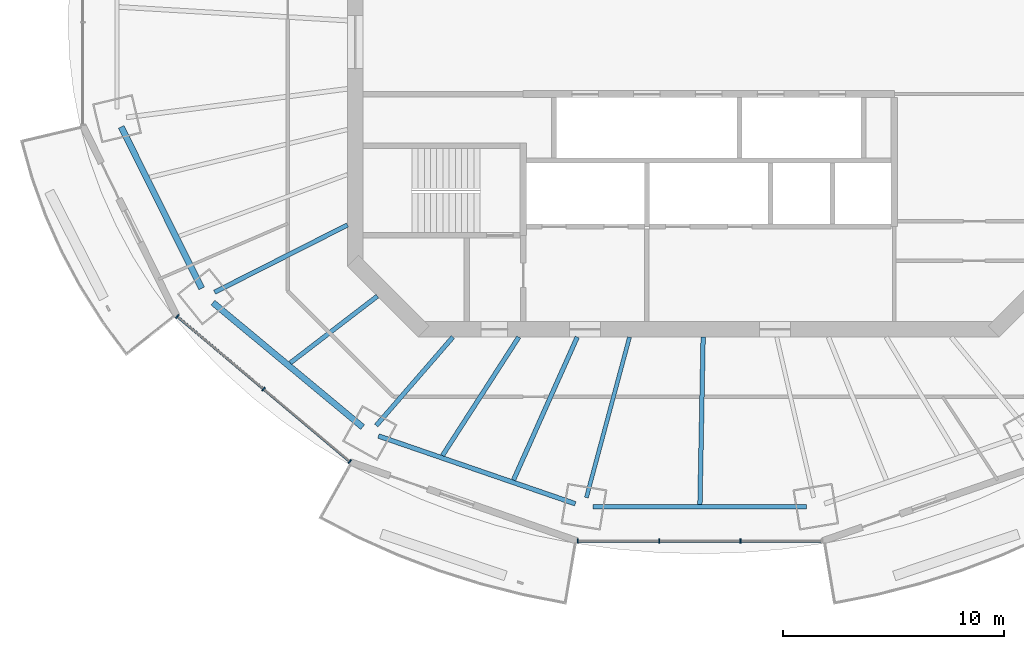
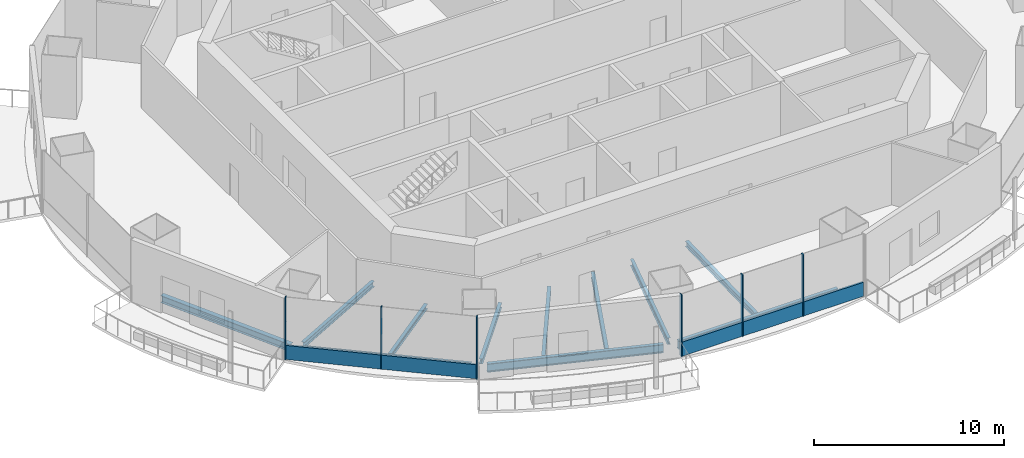
# One storey, part 2 of 16: 11 beams, 8 members, 2 elements without a shape of their own.
"""IFC4 building model written with IfcOpenShell, lengths in metres."""

from ifc_helpers import new_model, si_unit, direction, frame, origin, origin_2d, place, context, subcontext, project, spatial, rectangle, i_section, extrude, material, material_profile, profile_set, type_object, element, aggregate, save


model = new_model("IFC4")

# Units and contexts
model_context = context("Model", 3, precision=1e-05, world=origin(), true_north=direction((0.0, 1.0)))
body_context = subcontext(model_context, "Body", "Model", "MODEL_VIEW")
ifc_project = project(units=[si_unit("LENGTHUNIT", "METRE"), si_unit("AREAUNIT", "SQUARE_METRE"), si_unit("VOLUMEUNIT", "CUBIC_METRE"), si_unit("PLANEANGLEUNIT", "RADIAN"), si_unit("MASSUNIT", "GRAM", prefix="KILO")], contexts=[model_context])

# Site, building, storey
site_placement = place(None, origin())
site = spatial("IfcSite", under=ifc_project, at=site_placement, CompositionType="ELEMENT")
building_placement = place(site_placement, origin())
building = spatial("IfcBuilding", under=site, at=building_placement, Name="Marenthal Gate Tower", CompositionType="ELEMENT")
storey_placement = place(building_placement, frame((0.0, 0.0, 296.949951171875)))
storey = spatial("IfcBuildingStorey", under=building, at=storey_placement, Name="L66", CompositionType="ELEMENT", Elevation=296.949951171875)

# Curtain wall, members
ifc_material_1 = material(Name="Aluminium and glass", Category="aluminium")
curtain_wall_type = type_object("IfcCurtainWallType", Name="Curtain wall typical high", PredefinedType="NOTDEFINED", material=ifc_material_1)
curtain_wall_1_placement = place(storey_placement, origin())
curtain_wall_1 = element("IfcCurtainWall", 1, at=curtain_wall_1_placement, inside=storey, type_object=curtain_wall_type, Name="Curtain wall L66 bay 10", PredefinedType="NOTDEFINED")
ifc_material_2 = material(Name="Aluminium", Category="aluminium")
ifc_material_profile_1 = material_profile(ifc_material_2, rectangle(XDim=0.199951171875, YDim=0.06005859375, at=origin_2d()), Name="60x200 aluminium mullion")
ifc_profile_set_1 = profile_set([ifc_material_profile_1], Name="Aluminium")
member_type_1 = type_object("IfcMemberType", Name="Mullion 60x200 typical high", PredefinedType="MULLION", material=ifc_profile_set_1)
member_1_placement = place(storey_placement, frame((-24.053955078125, -12.41845703125, 0.0), z_axis=(0.0, 0.0, 1.0), x_axis=(0.643479945432, 0.765462970905, 0.0)))
member_1 = element("IfcMember", 2, at=member_1_placement, type_object=member_type_1, Name="Mullion L66 bay 10.1", PredefinedType="MULLION", context=body_context, shape_type="SweptSolid", body=[
    extrude(rectangle(XDim=0.199951171875, YDim=0.06005859375, at=origin_2d()), origin(), (0.0, 0.0, 1.0), 3.969970703125),
])
member_2_placement = place(storey_placement, frame((-20.148681640625, -15.701416015625, 0.0), z_axis=(0.0, 0.0, 1.0), x_axis=(0.643479945432, 0.765462970905, 0.0)))
member_2 = element("IfcMember", 3, at=member_2_placement, type_object=member_type_1, Name="Mullion L66 bay 10.2", PredefinedType="MULLION", context=body_context, shape_type="SweptSolid", body=[
    extrude(rectangle(XDim=0.199951171875, YDim=0.06005859375, at=origin_2d()), origin(), (0.0, 0.0, 1.0), 3.969970703125),
])
member_3_placement = place(storey_placement, frame((-16.243408203125, -18.984375, 0.0), z_axis=(0.0, 0.0, 1.0), x_axis=(0.643479945432, 0.765462970905, 0.0)))
member_3 = element("IfcMember", 4, at=member_3_placement, type_object=member_type_1, Name="Mullion L66 bay 10.3", PredefinedType="MULLION", context=body_context, shape_type="SweptSolid", body=[
    extrude(rectangle(XDim=0.199951171875, YDim=0.06005859375, at=origin_2d()), origin(), (0.0, 0.0, 1.0), 3.969970703125),
])

curtain_wall_2_placement = place(storey_placement, origin())
curtain_wall_2 = element("IfcCurtainWall", 5, at=curtain_wall_2_placement, inside=storey, type_object=curtain_wall_type, Name="Curtain wall L66 bay 12", PredefinedType="NOTDEFINED")
member_4_placement = place(storey_placement, frame((-5.92529296875, -22.577880859375, 0.0), z_axis=(0.0, 0.0, 1.0), x_axis=(0.0, 1.0, 0.0)))
member_4 = element("IfcMember", 6, at=member_4_placement, type_object=member_type_1, Name="Mullion L66 bay 12.1", PredefinedType="MULLION", context=body_context, shape_type="SweptSolid", body=[
    extrude(rectangle(XDim=0.199951171875, YDim=0.06005859375, at=origin_2d()), origin(), (0.0, 0.0, 1.0), 3.969970703125),
])
member_5_placement = place(storey_placement, frame((-2.24169921875, -22.577880859375, 0.0), z_axis=(0.0, 0.0, 1.0), x_axis=(0.0, 1.0, 0.0)))
member_5 = element("IfcMember", 7, at=member_5_placement, type_object=member_type_1, Name="Mullion L66 bay 12.2", PredefinedType="MULLION", context=body_context, shape_type="SweptSolid", body=[
    extrude(rectangle(XDim=0.199951171875, YDim=0.06005859375, at=origin_2d()), origin(), (0.0, 0.0, 1.0), 3.969970703125),
])
member_6_placement = place(storey_placement, frame((1.44189453125, -22.577880859375, 0.0), z_axis=(0.0, 0.0, 1.0), x_axis=(0.0, 1.0, 0.0)))
member_6 = element("IfcMember", 8, at=member_6_placement, type_object=member_type_1, Name="Mullion L66 bay 12.3", PredefinedType="MULLION", context=body_context, shape_type="SweptSolid", body=[
    extrude(rectangle(XDim=0.199951171875, YDim=0.06005859375, at=origin_2d()), origin(), (0.0, 0.0, 1.0), 3.969970703125),
])

# Member
ifc_material_3 = material(Name="Aluminium", Category="aluminium")
ifc_material_profile_2 = material_profile(ifc_material_3, rectangle(XDim=0.1201171875, YDim=0.89990234375, at=origin_2d()), Name="120x900 aluminium transom")
ifc_profile_set_2 = profile_set([ifc_material_profile_2], Name="Aluminium")
member_type_2 = type_object("IfcMemberType", Name="Transom 120x900 typical high", PredefinedType="USERDEFINED", material=ifc_profile_set_2)
member_7_placement = place(storey_placement, frame((-24.031005859375, -12.437744140625, 0.449951171875), z_axis=(0.765460155219, -0.643483294866, 0.0), x_axis=(0.643483294866, 0.765460155219, 0.0)))
member_7 = element("IfcMember", 9, at=member_7_placement, type_object=member_type_2, Name="Transom L66 bay 10", ObjectType="TRANSOM", PredefinedType="USERDEFINED", context=body_context, shape_type="SweptSolid", body=[
    extrude(rectangle(XDim=0.1201171875, YDim=0.89990234375, at=origin_2d()), origin(), (0.0, 0.0, 1.0), 10.143798828125),
])

aggregate(curtain_wall_1, [member_1, member_2, member_3, member_7])

member_8_placement = place(storey_placement, frame((-5.8955078125, -22.577880859375, 0.449951171875), z_axis=(1.0, 0.0, 0.0), x_axis=(0.0, 1.0, 0.0)))
member_8 = element("IfcMember", 10, at=member_8_placement, type_object=member_type_2, Name="Transom L66 bay 12", ObjectType="TRANSOM", PredefinedType="USERDEFINED", context=body_context, shape_type="SweptSolid", body=[
    extrude(rectangle(XDim=0.1201171875, YDim=0.89990234375, at=origin_2d()), origin(), (0.0, 0.0, 1.0), 10.990966796875),
])

aggregate(curtain_wall_2, [member_4, member_5, member_6, member_8])

# Beams
ifc_material_4 = material(Name="Steel S355", Category="steel")
ifc_material_profile_3 = material_profile(ifc_material_4, i_section(OverallWidth=0.202880859375, OverallDepth=0.302001953125, WebThickness=0.007568359375, FlangeThickness=0.01318359375, FilletRadius=0.0126953125, at=origin_2d()), Name="W310X60")
ifc_profile_set_3 = profile_set([ifc_material_profile_3], Name="Steel S355")
beam_type_1 = type_object("IfcBeamType", Name="W310X60 beam", PredefinedType="BEAM", material=ifc_profile_set_3)
beam_1_placement = place(storey_placement, frame((-18.939453125, -14.518798828125, -0.3310546875), z_axis=(0.793649875285, 0.608374782071, 0.0), x_axis=(-0.608374782071, 0.793649875285, 0.0)))
element("IfcBeam", 11, at=beam_1_placement, inside=storey, type_object=beam_type_1, Name="BM-L66-31", PredefinedType="BEAM", context=body_context, shape_type="SweptSolid", body=[
    extrude(i_section(OverallWidth=0.202880859375, OverallDepth=0.302001953125, WebThickness=0.007568359375, FlangeThickness=0.01318359375, FilletRadius=0.0126953125, at=origin_2d()), origin(), (0.0, 0.0, 1.0), 4.966552734375),
])
ifc_material_5 = material(Name="Steel S355", Category="steel")
ifc_material_profile_4 = material_profile(ifc_material_5, i_section(OverallWidth=0.205078125, OverallDepth=0.31005859375, WebThickness=0.009521484375, FlangeThickness=0.016357421875, FilletRadius=0.0126953125, at=origin_2d()), Name="W310X74")
ifc_profile_set_4 = profile_set([ifc_material_profile_4], Name="Steel S355")
beam_type_2 = type_object("IfcBeamType", Name="W310X74 beam", PredefinedType="BEAM", material=ifc_profile_set_4)
beam_2_placement = place(storey_placement, frame((-15.05078125, -17.353515625, -0.3349609375), z_axis=(0.655204107761, 0.75545190262, 0.0), x_axis=(-0.75545190262, 0.655204107761, 0.0)))
element("IfcBeam", 12, at=beam_2_placement, inside=storey, type_object=beam_type_2, Name="BM-L66-11", PredefinedType="BEAM", context=body_context, shape_type="SweptSolid", body=[
    extrude(i_section(OverallWidth=0.205078125, OverallDepth=0.31005859375, WebThickness=0.009521484375, FlangeThickness=0.016357421875, FilletRadius=0.0126953125, at=origin_2d()), origin(), (0.0, 0.0, 1.0), 5.29931640625),
])
beam_3_placement = place(storey_placement, frame((-12.0517578125, -18.711181640625, -0.3349609375), z_axis=(0.541502346344, 0.840699238077, 0.0), x_axis=(-0.840699238077, 0.541502346344, 0.0)))
element("IfcBeam", 13, at=beam_3_placement, inside=storey, type_object=beam_type_2, Name="BM-L66-32", PredefinedType="BEAM", context=body_context, shape_type="SweptSolid", body=[
    extrude(i_section(OverallWidth=0.205078125, OverallDepth=0.31005859375, WebThickness=0.009521484375, FlangeThickness=0.016357421875, FilletRadius=0.0126953125, at=origin_2d()), origin(), (0.0, 0.0, 1.0), 6.376953125),
])
ifc_material_6 = material(Name="Steel S355", Category="steel")
ifc_material_profile_5 = material_profile(ifc_material_6, i_section(OverallWidth=0.205078125, OverallDepth=0.35302734375, WebThickness=0.009521484375, FlangeThickness=0.016845703125, FilletRadius=0.014892578125, at=origin_2d()), Name="W360X79")
ifc_profile_set_5 = profile_set([ifc_material_profile_5], Name="Steel S355")
beam_type_3 = type_object("IfcBeamType", Name="W360X79 beam", PredefinedType="BEAM", material=ifc_profile_set_5)
beam_4_placement = place(storey_placement, frame((-22.36572265625, -11.3203125, -0.3564453125), z_axis=(0.892214783976, 0.451611314357, 0.0), x_axis=(-0.451611314357, 0.892214783976, 0.0)))
element("IfcBeam", 14, at=beam_4_placement, inside=storey, type_object=beam_type_3, Name="BM-L66-10", PredefinedType="BEAM", context=body_context, shape_type="SweptSolid", body=[
    extrude(i_section(OverallWidth=0.205078125, OverallDepth=0.35302734375, WebThickness=0.009521484375, FlangeThickness=0.016845703125, FilletRadius=0.014892578125, at=origin_2d()), origin(), (0.0, 0.0, 1.0), 6.742431640625),
])
beam_5_placement = place(storey_placement, frame((-8.835693359375, -19.818359375, -0.3564453125), z_axis=(0.407200115521, 0.91333896551, 0.0), x_axis=(-0.91333896551, 0.407200115521, 0.0)))
element("IfcBeam", 15, at=beam_5_placement, inside=storey, type_object=beam_type_3, Name="BM-L66-33", PredefinedType="BEAM", context=body_context, shape_type="SweptSolid", body=[
    extrude(i_section(OverallWidth=0.205078125, OverallDepth=0.35302734375, WebThickness=0.009521484375, FlangeThickness=0.016845703125, FilletRadius=0.014892578125, at=origin_2d()), origin(), (0.0, 0.0, 1.0), 7.08203125),
])
beam_6_placement = place(storey_placement, frame((-0.39794921875, -20.92236328125, -0.3564453125), z_axis=(0.019018999299, 0.999819122474, 0.0), x_axis=(-0.999819122474, 0.019018999299, 0.0)))
element("IfcBeam", 16, at=beam_6_placement, inside=storey, type_object=beam_type_3, Name="BM-L66-34", PredefinedType="BEAM", context=body_context, shape_type="SweptSolid", body=[
    extrude(i_section(OverallWidth=0.205078125, OverallDepth=0.35302734375, WebThickness=0.009521484375, FlangeThickness=0.016845703125, FilletRadius=0.014892578125, at=origin_2d()), origin(), (0.0, 0.0, 1.0), 7.57373046875),
])
ifc_material_7 = material(Name="Steel S355", Category="steel")
ifc_material_profile_6 = material_profile(ifc_material_7, i_section(OverallWidth=0.180908203125, OverallDepth=0.4169921875, WebThickness=0.010986328125, FlangeThickness=0.018310546875, FilletRadius=0.01025390625, at=origin_2d()), Name="W410X85")
ifc_profile_set_6 = profile_set([ifc_material_profile_6], Name="Steel S355")
beam_type_4 = type_object("IfcBeamType", Name="W410X85 beam", PredefinedType="BEAM", material=ifc_profile_set_6)
beam_7_placement = place(storey_placement, frame((-5.53564453125, -20.613525390625, -0.388427734375), z_axis=(0.259341276108, 0.965785743582, 0.0), x_axis=(-0.965785743582, 0.259341276108, 0.0)))
element("IfcBeam", 17, at=beam_7_placement, inside=storey, type_object=beam_type_4, Name="BM-L66-12", PredefinedType="BEAM", context=body_context, shape_type="SweptSolid", body=[
    extrude(i_section(OverallWidth=0.180908203125, OverallDepth=0.4169921875, WebThickness=0.010986328125, FlangeThickness=0.018310546875, FilletRadius=0.01025390625, at=origin_2d()), origin(), (0.0, 0.0, 1.0), 7.520751953125),
])
ifc_material_8 = material(Name="Steel S355", Category="steel")
ifc_material_profile_7 = material_profile(ifc_material_8, i_section(OverallWidth=0.279052734375, OverallDepth=0.4619140625, WebThickness=0.0107421875, FlangeThickness=0.017333984375, FilletRadius=0.010009765625, at=origin_2d()), Name="W460X113")
ifc_profile_set_7 = profile_set([ifc_material_profile_7], Name="Steel S355")
beam_type_5 = type_object("IfcBeamType", Name="W460X113 beam", PredefinedType="BEAM", material=ifc_profile_set_7)
beam_8_placement = place(storey_placement, frame((-26.590087890625, -3.841064453125, -0.410888671875), z_axis=(0.44599242953, -0.895036732655, 0.0), x_axis=(0.895036732655, 0.44599242953, 0.0)))
element("IfcBeam", 18, at=beam_8_placement, inside=storey, type_object=beam_type_5, Name="BM-L66-49", PredefinedType="BEAM", context=body_context, shape_type="SweptSolid", body=[
    extrude(i_section(OverallWidth=0.279052734375, OverallDepth=0.4619140625, WebThickness=0.0107421875, FlangeThickness=0.017333984375, FilletRadius=0.010009765625, at=origin_2d()), origin(), (0.0, 0.0, 1.0), 8.15966796875),
])
beam_9_placement = place(storey_placement, frame((-22.44140625, -11.788818359375, -0.410888671875), z_axis=(0.768999341682, -0.639249569802, 0.0), x_axis=(0.639249569802, 0.768999341682, 0.0)))
element("IfcBeam", 19, at=beam_9_placement, inside=storey, type_object=beam_type_5, Name="BM-L66-50", PredefinedType="BEAM", context=body_context, shape_type="SweptSolid", body=[
    extrude(i_section(OverallWidth=0.279052734375, OverallDepth=0.4619140625, WebThickness=0.0107421875, FlangeThickness=0.017333984375, FilletRadius=0.010009765625, at=origin_2d()), origin(), (0.0, 0.0, 1.0), 8.8154296875),
])
ifc_material_9 = material(Name="Steel S355", Category="steel")
ifc_material_profile_8 = material_profile(ifc_material_9, i_section(OverallWidth=0.2119140625, OverallDepth=0.5439453125, WebThickness=0.01318359375, FlangeThickness=0.021240234375, FilletRadius=0.0126953125, at=origin_2d()), Name="W530X123")
ifc_profile_set_8 = profile_set([ifc_material_profile_8], Name="Steel S355")
beam_type_6 = type_object("IfcBeamType", Name="W530X123 beam", PredefinedType="BEAM", material=ifc_profile_set_8)
beam_10_placement = place(storey_placement, frame((-14.951171875, -17.82470703125, -0.451904296875), z_axis=(0.945516546664, -0.325574046853, 0.0), x_axis=(0.325574046853, 0.945516546664, 0.0)))
element("IfcBeam", 20, at=beam_10_placement, inside=storey, type_object=beam_type_6, Name="BM-L66-51", PredefinedType="BEAM", context=body_context, shape_type="SweptSolid", body=[
    extrude(i_section(OverallWidth=0.2119140625, OverallDepth=0.5439453125, WebThickness=0.01318359375, FlangeThickness=0.021240234375, FilletRadius=0.0126953125, at=origin_2d()), origin(), (0.0, 0.0, 1.0), 9.427490234375),
])
beam_11_placement = place(storey_placement, frame((-5.23486328125, -21.0283203125, -0.451904296875), z_axis=(1.0, 0.0, 0.0), x_axis=(0.0, 1.0, 0.0)))
element("IfcBeam", 21, at=beam_11_placement, inside=storey, type_object=beam_type_6, Name="BM-L66-52", PredefinedType="BEAM", context=body_context, shape_type="SweptSolid", body=[
    extrude(i_section(OverallWidth=0.2119140625, OverallDepth=0.5439453125, WebThickness=0.01318359375, FlangeThickness=0.021240234375, FilletRadius=0.0126953125, at=origin_2d()), origin(), (0.0, 0.0, 1.0), 9.669677734375),
])

save(model, "model.ifc")
